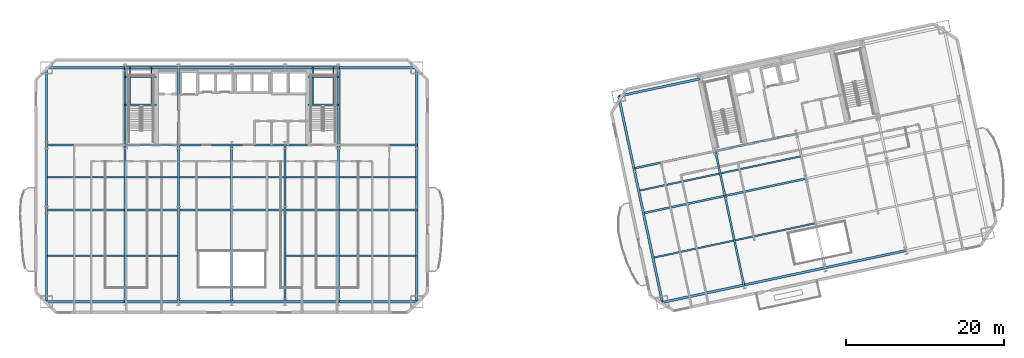
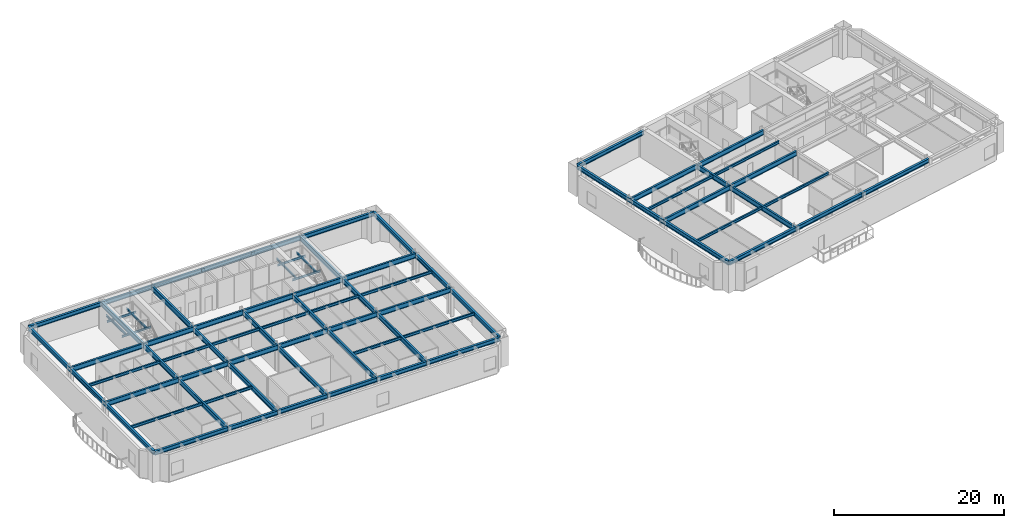
# One storey, part 3 of 15: 78 beams.
"""IFC4 building model written with IfcOpenShell, lengths in metres."""

from ifc_helpers import new_model, si_unit, direction, frame, origin, origin_2d, place, context, subcontext, project, spatial, i_section, extrude, material, material_profile, profile_set, type_object, element, save


model = new_model("IFC4")

# Units and contexts
model_context = context("Model", 3, precision=1e-05, world=origin(), true_north=direction((0.0, 1.0)))
body_context = subcontext(model_context, "Body", "Model", "MODEL_VIEW")
ifc_project = project(units=[si_unit("LENGTHUNIT", "METRE"), si_unit("AREAUNIT", "SQUARE_METRE"), si_unit("VOLUMEUNIT", "CUBIC_METRE"), si_unit("PLANEANGLEUNIT", "RADIAN"), si_unit("MASSUNIT", "GRAM", prefix="KILO")], contexts=[model_context])

# Site, building, storey
site_placement = place(None, origin())
site = spatial("IfcSite", under=ifc_project, at=site_placement, CompositionType="ELEMENT")
building_placement = place(site_placement, origin())
building = spatial("IfcBuilding", under=site, at=building_placement, Name="Haevon Station Towers", CompositionType="ELEMENT")
storey_placement = place(building_placement, frame((0.0, 0.0, 73.5)))
storey = spatial("IfcBuildingStorey", under=building, at=storey_placement, Name="L19", CompositionType="ELEMENT", Elevation=73.5)

# Beams
ifc_material = material(Name="Steel S355", Category="steel")
ifc_material_profile_1 = material_profile(ifc_material, i_section(OverallWidth=0.25, OverallDepth=0.699951171875, WebThickness=0.012939453125, FlangeThickness=0.02392578125, at=origin_2d()), Name="H-700x250x13x24")
ifc_profile_set_1 = profile_set([ifc_material_profile_1], Name="Steel S355")
beam_type_1 = type_object("IfcBeamType", Name="BM-G700", PredefinedType="BEAM", material=ifc_profile_set_1)
beam_1_placement = place(storey_placement, frame((14.050048828125, 30.0, 3.60009765625), z_axis=(1.0, 0.0, 0.0), x_axis=(0.0, 1.0, 0.0)))
element("IfcBeam", 1, at=beam_1_placement, inside=storey, type_object=beam_type_1, Name="BM-T1U-L19-02-01", PredefinedType="BEAM", context=body_context, shape_type="SweptSolid", body=[
    extrude(i_section(OverallWidth=0.25, OverallDepth=0.699951171875, WebThickness=0.012939453125, FlangeThickness=0.02392578125, at=origin_2d()), origin(), (0.0, 0.0, 1.0), 9.949951171875),
])
for number, where, z_axis, x_axis, name in (
    (2, (24.0, 30.0, 3.60009765625), (1.0, 0.0, 0.0), (0.0, 1.0, 0.0), "BM-T1U-L19-02-02"),
    (3, (30.75, 30.0, 3.60009765625), (1.0, 0.0, 0.0), (0.0, 1.0, 0.0), "BM-T1U-L19-02-03"),
    (4, (37.5, 30.0, 3.60009765625), (1.0, 0.0, 0.0), (0.0, 1.0, 0.0), "BM-T1U-L19-02-04"),
    (5, (44.25, 30.0, 3.60009765625), (1.0, 0.0, 0.0), (0.0, 1.0, 0.0), "BM-T1U-L19-02-05"),
):
    element("IfcBeam", number, at=place(storey_placement, frame(where, z_axis=z_axis, x_axis=x_axis)), inside=storey, type_object=beam_type_1, Name=name, PredefinedType="BEAM", context=body_context, shape_type="SweptSolid", body=[
        extrude(i_section(OverallWidth=0.25, OverallDepth=0.699951171875, WebThickness=0.012939453125, FlangeThickness=0.02392578125, at=origin_2d()), origin(), (0.0, 0.0, 1.0), 6.75),
    ])
for number, where, z_axis, x_axis, name in (
    (6, (51.0, 30.0, 3.60009765625), (1.0, 0.0, 0.0), (0.0, 1.0, 0.0), "BM-T1U-L19-02-06"),
    (7, (14.050048828125, 38.199951171875, 3.60009765625), (1.0, 0.0, 0.0), (0.0, 1.0, 0.0), "BM-T1U-L19-03-01"),
):
    element("IfcBeam", number, at=place(storey_placement, frame(where, z_axis=z_axis, x_axis=x_axis)), inside=storey, type_object=beam_type_1, Name=name, PredefinedType="BEAM", context=body_context, shape_type="SweptSolid", body=[
        extrude(i_section(OverallWidth=0.25, OverallDepth=0.699951171875, WebThickness=0.012939453125, FlangeThickness=0.02392578125, at=origin_2d()), origin(), (0.0, 0.0, 1.0), 9.949951171875),
    ])
for number, where, z_axis, x_axis, name in (
    (8, (24.0, 38.199951171875, 3.60009765625), (1.0, 0.0, 0.0), (0.0, 1.0, 0.0), "BM-T1U-L19-03-02"),
    (9, (30.75, 38.199951171875, 3.60009765625), (1.0, 0.0, 0.0), (0.0, 1.0, 0.0), "BM-T1U-L19-03-03"),
    (10, (37.5, 38.199951171875, 3.60009765625), (1.0, 0.0, 0.0), (0.0, 1.0, 0.0), "BM-T1U-L19-03-04"),
    (11, (44.25, 38.199951171875, 3.60009765625), (1.0, 0.0, 0.0), (0.0, 1.0, 0.0), "BM-T1U-L19-03-05"),
):
    element("IfcBeam", number, at=place(storey_placement, frame(where, z_axis=z_axis, x_axis=x_axis)), inside=storey, type_object=beam_type_1, Name=name, PredefinedType="BEAM", context=body_context, shape_type="SweptSolid", body=[
        extrude(i_section(OverallWidth=0.25, OverallDepth=0.699951171875, WebThickness=0.012939453125, FlangeThickness=0.02392578125, at=origin_2d()), origin(), (0.0, 0.0, 1.0), 6.75),
    ])
beam_2_placement = place(storey_placement, frame((51.0, 38.199951171875, 3.60009765625), z_axis=(1.0, 0.0, 0.0), x_axis=(0.0, 1.0, 0.0)))
element("IfcBeam", 12, at=beam_2_placement, inside=storey, type_object=beam_type_1, Name="BM-T1U-L19-03-06", PredefinedType="BEAM", context=body_context, shape_type="SweptSolid", body=[
    extrude(i_section(OverallWidth=0.25, OverallDepth=0.699951171875, WebThickness=0.012939453125, FlangeThickness=0.02392578125, at=origin_2d()), origin(), (0.0, 0.0, 1.0), 9.949951171875),
])
beam_3_placement = place(storey_placement, frame((24.0, 18.35009765625, 3.60009765625), z_axis=(0.0, 1.0, 0.0), x_axis=(-1.0, 0.0, 0.0)))
element("IfcBeam", 13, at=beam_3_placement, inside=storey, type_object=beam_type_1, Name="BM-T1V-L19-02-01", PredefinedType="BEAM", context=body_context, shape_type="SweptSolid", body=[
    extrude(i_section(OverallWidth=0.25, OverallDepth=0.699951171875, WebThickness=0.012939453125, FlangeThickness=0.02392578125, at=origin_2d()), origin(), (0.0, 0.0, 1.0), 11.64990234375),
])
beam_4_placement = place(storey_placement, frame((24.0, 30.0, 3.60009765625), z_axis=(0.0, 1.0, 0.0), x_axis=(-1.0, 0.0, 0.0)))
element("IfcBeam", 14, at=beam_4_placement, inside=storey, type_object=beam_type_1, Name="BM-T1V-L19-02-02", PredefinedType="BEAM", context=body_context, shape_type="SweptSolid", body=[
    extrude(i_section(OverallWidth=0.25, OverallDepth=0.699951171875, WebThickness=0.012939453125, FlangeThickness=0.02392578125, at=origin_2d()), origin(), (0.0, 0.0, 1.0), 8.199951171875),
])
beam_5_placement = place(storey_placement, frame((24.0, 38.199951171875, 3.60009765625), z_axis=(0.0, 1.0, 0.0), x_axis=(-1.0, 0.0, 0.0)))
element("IfcBeam", 15, at=beam_5_placement, inside=storey, type_object=beam_type_1, Name="BM-T1V-L19-02-03", PredefinedType="BEAM", context=body_context, shape_type="SweptSolid", body=[
    extrude(i_section(OverallWidth=0.25, OverallDepth=0.699951171875, WebThickness=0.012939453125, FlangeThickness=0.02392578125, at=origin_2d()), origin(), (0.0, 0.0, 1.0), 9.800048828125),
])
beam_6_placement = place(storey_placement, frame((30.75, 18.35009765625, 3.60009765625), z_axis=(0.0, 1.0, 0.0), x_axis=(-1.0, 0.0, 0.0)))
element("IfcBeam", 16, at=beam_6_placement, inside=storey, type_object=beam_type_1, Name="BM-T1V-L19-03-01", PredefinedType="BEAM", context=body_context, shape_type="SweptSolid", body=[
    extrude(i_section(OverallWidth=0.25, OverallDepth=0.699951171875, WebThickness=0.012939453125, FlangeThickness=0.02392578125, at=origin_2d()), origin(), (0.0, 0.0, 1.0), 11.64990234375),
])
beam_7_placement = place(storey_placement, frame((30.75, 30.0, 3.60009765625), z_axis=(0.0, 1.0, 0.0), x_axis=(-1.0, 0.0, 0.0)))
element("IfcBeam", 17, at=beam_7_placement, inside=storey, type_object=beam_type_1, Name="BM-T1V-L19-03-02", PredefinedType="BEAM", context=body_context, shape_type="SweptSolid", body=[
    extrude(i_section(OverallWidth=0.25, OverallDepth=0.699951171875, WebThickness=0.012939453125, FlangeThickness=0.02392578125, at=origin_2d()), origin(), (0.0, 0.0, 1.0), 8.199951171875),
])
beam_8_placement = place(storey_placement, frame((30.75, 38.199951171875, 3.60009765625), z_axis=(0.0, 1.0, 0.0), x_axis=(-1.0, 0.0, 0.0)))
element("IfcBeam", 18, at=beam_8_placement, inside=storey, type_object=beam_type_1, Name="BM-T1V-L19-03-03", PredefinedType="BEAM", context=body_context, shape_type="SweptSolid", body=[
    extrude(i_section(OverallWidth=0.25, OverallDepth=0.699951171875, WebThickness=0.012939453125, FlangeThickness=0.02392578125, at=origin_2d()), origin(), (0.0, 0.0, 1.0), 9.800048828125),
])
beam_9_placement = place(storey_placement, frame((37.5, 18.35009765625, 3.60009765625), z_axis=(0.0, 1.0, 0.0), x_axis=(-1.0, 0.0, 0.0)))
element("IfcBeam", 19, at=beam_9_placement, inside=storey, type_object=beam_type_1, Name="BM-T1V-L19-04-01", PredefinedType="BEAM", context=body_context, shape_type="SweptSolid", body=[
    extrude(i_section(OverallWidth=0.25, OverallDepth=0.699951171875, WebThickness=0.012939453125, FlangeThickness=0.02392578125, at=origin_2d()), origin(), (0.0, 0.0, 1.0), 11.64990234375),
])
beam_10_placement = place(storey_placement, frame((37.5, 30.0, 3.60009765625), z_axis=(0.0, 1.0, 0.0), x_axis=(-1.0, 0.0, 0.0)))
element("IfcBeam", 20, at=beam_10_placement, inside=storey, type_object=beam_type_1, Name="BM-T1V-L19-04-02", PredefinedType="BEAM", context=body_context, shape_type="SweptSolid", body=[
    extrude(i_section(OverallWidth=0.25, OverallDepth=0.699951171875, WebThickness=0.012939453125, FlangeThickness=0.02392578125, at=origin_2d()), origin(), (0.0, 0.0, 1.0), 8.199951171875),
])
beam_11_placement = place(storey_placement, frame((44.25, 18.35009765625, 3.60009765625), z_axis=(0.0, 1.0, 0.0), x_axis=(-1.0, 0.0, 0.0)))
element("IfcBeam", 21, at=beam_11_placement, inside=storey, type_object=beam_type_1, Name="BM-T1V-L19-05-01", PredefinedType="BEAM", context=body_context, shape_type="SweptSolid", body=[
    extrude(i_section(OverallWidth=0.25, OverallDepth=0.699951171875, WebThickness=0.012939453125, FlangeThickness=0.02392578125, at=origin_2d()), origin(), (0.0, 0.0, 1.0), 11.64990234375),
])
beam_12_placement = place(storey_placement, frame((44.25, 30.0, 3.60009765625), z_axis=(0.0, 1.0, 0.0), x_axis=(-1.0, 0.0, 0.0)))
element("IfcBeam", 22, at=beam_12_placement, inside=storey, type_object=beam_type_1, Name="BM-T1V-L19-05-02", PredefinedType="BEAM", context=body_context, shape_type="SweptSolid", body=[
    extrude(i_section(OverallWidth=0.25, OverallDepth=0.699951171875, WebThickness=0.012939453125, FlangeThickness=0.02392578125, at=origin_2d()), origin(), (0.0, 0.0, 1.0), 8.199951171875),
])
beam_13_placement = place(storey_placement, frame((51.0, 18.35009765625, 3.60009765625), z_axis=(0.0, 1.0, 0.0), x_axis=(-1.0, 0.0, 0.0)))
element("IfcBeam", 23, at=beam_13_placement, inside=storey, type_object=beam_type_1, Name="BM-T1V-L19-06-01", PredefinedType="BEAM", context=body_context, shape_type="SweptSolid", body=[
    extrude(i_section(OverallWidth=0.25, OverallDepth=0.699951171875, WebThickness=0.012939453125, FlangeThickness=0.02392578125, at=origin_2d()), origin(), (0.0, 0.0, 1.0), 11.64990234375),
])
beam_14_placement = place(storey_placement, frame((51.0, 30.0, 3.60009765625), z_axis=(0.0, 1.0, 0.0), x_axis=(-1.0, 0.0, 0.0)))
element("IfcBeam", 24, at=beam_14_placement, inside=storey, type_object=beam_type_1, Name="BM-T1V-L19-06-02", PredefinedType="BEAM", context=body_context, shape_type="SweptSolid", body=[
    extrude(i_section(OverallWidth=0.25, OverallDepth=0.699951171875, WebThickness=0.012939453125, FlangeThickness=0.02392578125, at=origin_2d()), origin(), (0.0, 0.0, 1.0), 8.199951171875),
])
beam_15_placement = place(storey_placement, frame((51.0, 38.199951171875, 3.60009765625), z_axis=(0.0, 1.0, 0.0), x_axis=(-1.0, 0.0, 0.0)))
element("IfcBeam", 25, at=beam_15_placement, inside=storey, type_object=beam_type_1, Name="BM-T1V-L19-06-03", PredefinedType="BEAM", context=body_context, shape_type="SweptSolid", body=[
    extrude(i_section(OverallWidth=0.25, OverallDepth=0.699951171875, WebThickness=0.012939453125, FlangeThickness=0.02392578125, at=origin_2d()), origin(), (0.0, 0.0, 1.0), 9.800048828125),
])
beam_16_placement = place(storey_placement, frame((89.638671875, 29.57568359375, 3.60009765625), z_axis=(0.978150204601, 0.207899440208, 0.0), x_axis=(-0.207899440208, 0.978150204601, 0.0)))
element("IfcBeam", 26, at=beam_16_placement, inside=storey, type_object=beam_type_1, Name="BM-T2U-L19-02-01", PredefinedType="BEAM", context=body_context, shape_type="SweptSolid", body=[
    extrude(i_section(OverallWidth=0.25, OverallDepth=0.699951171875, WebThickness=0.012939453125, FlangeThickness=0.02392578125, at=origin_2d()), origin(), (0.0, 0.0, 1.0), 10.550048828125),
])
beam_17_placement = place(storey_placement, frame((99.958251953125, 31.76904296875, 3.60009765625), z_axis=(0.978146794194, 0.207915485254, 0.0), x_axis=(-0.207915485254, 0.978146794194, 0.0)))
element("IfcBeam", 27, at=beam_17_placement, inside=storey, type_object=beam_type_1, Name="BM-T2U-L19-02-02", PredefinedType="BEAM", context=body_context, shape_type="SweptSolid", body=[
    extrude(i_section(OverallWidth=0.25, OverallDepth=0.699951171875, WebThickness=0.012939453125, FlangeThickness=0.02392578125, at=origin_2d()), origin(), (0.0, 0.0, 1.0), 10.5),
])
beam_18_placement = place(storey_placement, frame((88.432861328125, 35.2490234375, 3.60009765625), z_axis=(0.978150204601, 0.207899440208, 0.0), x_axis=(-0.207899440208, 0.978150204601, 0.0)))
element("IfcBeam", 28, at=beam_18_placement, inside=storey, type_object=beam_type_1, Name="BM-T2U-L19-03-01", PredefinedType="BEAM", context=body_context, shape_type="SweptSolid", body=[
    extrude(i_section(OverallWidth=0.25, OverallDepth=0.699951171875, WebThickness=0.012939453125, FlangeThickness=0.02392578125, at=origin_2d()), origin(), (0.0, 0.0, 1.0), 10.550048828125),
])
beam_19_placement = place(storey_placement, frame((98.75244140625, 37.4423828125, 3.60009765625), z_axis=(0.978146794194, 0.207915485254, 0.0), x_axis=(-0.207915485254, 0.978146794194, 0.0)))
element("IfcBeam", 29, at=beam_19_placement, inside=storey, type_object=beam_type_1, Name="BM-T2U-L19-03-02", PredefinedType="BEAM", context=body_context, shape_type="SweptSolid", body=[
    extrude(i_section(OverallWidth=0.25, OverallDepth=0.699951171875, WebThickness=0.012939453125, FlangeThickness=0.02392578125, at=origin_2d()), origin(), (0.0, 0.0, 1.0), 10.5),
])
beam_20_placement = place(storey_placement, frame((102.359619140625, 20.471435546875, 3.60009765625), z_axis=(-0.207910580697, 0.978147836697, 0.0), x_axis=(-0.978147836697, -0.207910580697, 0.0)))
element("IfcBeam", 30, at=beam_20_placement, inside=storey, type_object=beam_type_1, Name="BM-T2V-L19-02-01", PredefinedType="BEAM", context=body_context, shape_type="SweptSolid", body=[
    extrude(i_section(OverallWidth=0.25, OverallDepth=0.699951171875, WebThickness=0.012939453125, FlangeThickness=0.02392578125, at=origin_2d()), origin(), (0.0, 0.0, 1.0), 11.550048828125),
])
beam_21_placement = place(storey_placement, frame((99.958251953125, 31.76904296875, 3.60009765625), z_axis=(-0.207896009217, 0.97815093383, 0.0), x_axis=(-0.97815093383, -0.207896009217, 0.0)))
element("IfcBeam", 31, at=beam_21_placement, inside=storey, type_object=beam_type_1, Name="BM-T2V-L19-02-02", PredefinedType="BEAM", context=body_context, shape_type="SweptSolid", body=[
    extrude(i_section(OverallWidth=0.25, OverallDepth=0.699951171875, WebThickness=0.012939453125, FlangeThickness=0.02392578125, at=origin_2d()), origin(), (0.0, 0.0, 1.0), 5.800048828125),
])
ifc_material_profile_2 = material_profile(ifc_material, i_section(OverallWidth=0.199951171875, OverallDepth=0.39990234375, WebThickness=0.008056640625, FlangeThickness=0.012939453125, at=origin_2d()), Name="H-400x200x8x13")
ifc_profile_set_2 = profile_set([ifc_material_profile_2], Name="Steel S355")
beam_type_2 = type_object("IfcBeamType", Name="BM-J400", PredefinedType="JOIST", material=ifc_profile_set_2)
beam_22_placement = place(storey_placement, frame((14.159912109375, 24.175048828125, 3.75), z_axis=(1.0, 0.0, 0.0), x_axis=(0.0, 1.0, 0.0)))
element("IfcBeam", 32, at=beam_22_placement, inside=storey, type_object=beam_type_2, Name="BM-T1J-L19-01-01", PredefinedType="JOIST", context=body_context, shape_type="SweptSolid", body=[
    extrude(i_section(OverallWidth=0.199951171875, OverallDepth=0.39990234375, WebThickness=0.008056640625, FlangeThickness=0.012939453125, at=origin_2d()), origin(), (0.0, 0.0, 1.0), 9.72998046875),
])
for number, where, z_axis, x_axis, name in (
    (33, (24.110107421875, 24.175048828125, 3.75), (1.0, 0.0, 0.0), (0.0, 1.0, 0.0), "BM-T1J-L19-01-02"),
    (34, (44.360107421875, 24.175048828125, 3.75), (1.0, 0.0, 0.0), (0.0, 1.0, 0.0), "BM-T1J-L19-01-05"),
):
    element("IfcBeam", number, at=place(storey_placement, frame(where, z_axis=z_axis, x_axis=x_axis)), inside=storey, type_object=beam_type_2, Name=name, PredefinedType="JOIST", context=body_context, shape_type="SweptSolid", body=[
        extrude(i_section(OverallWidth=0.199951171875, OverallDepth=0.39990234375, WebThickness=0.008056640625, FlangeThickness=0.012939453125, at=origin_2d()), origin(), (0.0, 0.0, 1.0), 6.52978515625),
    ])
for number, where, z_axis, x_axis, name in (
    (35, (51.110107421875, 24.175048828125, 3.75), (1.0, 0.0, 0.0), (0.0, 1.0, 0.0), "BM-T1J-L19-01-06"),
    (36, (14.159912109375, 34.10009765625, 3.75), (1.0, 0.0, 0.0), (0.0, 1.0, 0.0), "BM-T1J-L19-02-01"),
):
    element("IfcBeam", number, at=place(storey_placement, frame(where, z_axis=z_axis, x_axis=x_axis)), inside=storey, type_object=beam_type_2, Name=name, PredefinedType="JOIST", context=body_context, shape_type="SweptSolid", body=[
        extrude(i_section(OverallWidth=0.199951171875, OverallDepth=0.39990234375, WebThickness=0.008056640625, FlangeThickness=0.012939453125, at=origin_2d()), origin(), (0.0, 0.0, 1.0), 9.72998046875),
    ])
for number, where, z_axis, x_axis, name in (
    (37, (24.110107421875, 34.10009765625, 3.75), (1.0, 0.0, 0.0), (0.0, 1.0, 0.0), "BM-T1J-L19-02-02"),
    (38, (30.860107421875, 34.10009765625, 3.75), (1.0, 0.0, 0.0), (0.0, 1.0, 0.0), "BM-T1J-L19-02-03"),
    (39, (37.610107421875, 34.10009765625, 3.75), (1.0, 0.0, 0.0), (0.0, 1.0, 0.0), "BM-T1J-L19-02-04"),
    (40, (44.360107421875, 34.10009765625, 3.75), (1.0, 0.0, 0.0), (0.0, 1.0, 0.0), "BM-T1J-L19-02-05"),
):
    element("IfcBeam", number, at=place(storey_placement, frame(where, z_axis=z_axis, x_axis=x_axis)), inside=storey, type_object=beam_type_2, Name=name, PredefinedType="JOIST", context=body_context, shape_type="SweptSolid", body=[
        extrude(i_section(OverallWidth=0.199951171875, OverallDepth=0.39990234375, WebThickness=0.008056640625, FlangeThickness=0.012939453125, at=origin_2d()), origin(), (0.0, 0.0, 1.0), 6.52978515625),
    ])
beam_23_placement = place(storey_placement, frame((51.110107421875, 34.10009765625, 3.75), z_axis=(1.0, 0.0, 0.0), x_axis=(0.0, 1.0, 0.0)))
element("IfcBeam", 41, at=beam_23_placement, inside=storey, type_object=beam_type_2, Name="BM-T1J-L19-02-06", PredefinedType="JOIST", context=body_context, shape_type="SweptSolid", body=[
    extrude(i_section(OverallWidth=0.199951171875, OverallDepth=0.39990234375, WebThickness=0.008056640625, FlangeThickness=0.012939453125, at=origin_2d()), origin(), (0.0, 0.0, 1.0), 9.72998046875),
])
beam_24_placement = place(storey_placement, frame((90.947021484375, 23.94970703125, 3.75), z_axis=(0.978147977643, 0.207909917591, 0.0), x_axis=(-0.207909917591, 0.978147977643, 0.0)))
element("IfcBeam", 42, at=beam_24_placement, inside=storey, type_object=beam_type_2, Name="BM-T2J-L19-01-01", PredefinedType="JOIST", context=body_context, shape_type="SweptSolid", body=[
    extrude(i_section(OverallWidth=0.199951171875, OverallDepth=0.39990234375, WebThickness=0.008056640625, FlangeThickness=0.012939453125, at=origin_2d()), origin(), (0.0, 0.0, 1.0), 10.330078125),
])
beam_25_placement = place(storey_placement, frame((101.2666015625, 26.143310546875, 3.75), z_axis=(0.978149313139, 0.20790363442, 0.0), x_axis=(-0.20790363442, 0.978149313139, 0.0)))
element("IfcBeam", 43, at=beam_25_placement, inside=storey, type_object=beam_type_2, Name="BM-T2J-L19-01-02", PredefinedType="JOIST", context=body_context, shape_type="SweptSolid", body=[
    extrude(i_section(OverallWidth=0.199951171875, OverallDepth=0.39990234375, WebThickness=0.008056640625, FlangeThickness=0.012939453125, at=origin_2d()), origin(), (0.0, 0.0, 1.0), 10.27978515625),
])
beam_26_placement = place(storey_placement, frame((89.1435546875, 32.435302734375, 3.75), z_axis=(0.978147977643, 0.207909917591, 0.0), x_axis=(-0.207909917591, 0.978147977643, 0.0)))
element("IfcBeam", 44, at=beam_26_placement, inside=storey, type_object=beam_type_2, Name="BM-T2J-L19-02-01", PredefinedType="JOIST", context=body_context, shape_type="SweptSolid", body=[
    extrude(i_section(OverallWidth=0.199951171875, OverallDepth=0.39990234375, WebThickness=0.008056640625, FlangeThickness=0.012939453125, at=origin_2d()), origin(), (0.0, 0.0, 1.0), 10.330078125),
])
beam_27_placement = place(storey_placement, frame((99.462890625, 34.628662109375, 3.75), z_axis=(0.978150339653, 0.207898804801, 0.0), x_axis=(-0.207898804801, 0.978150339653, 0.0)))
element("IfcBeam", 45, at=beam_27_placement, inside=storey, type_object=beam_type_2, Name="BM-T2J-L19-02-02", PredefinedType="JOIST", context=body_context, shape_type="SweptSolid", body=[
    extrude(i_section(OverallWidth=0.199951171875, OverallDepth=0.39990234375, WebThickness=0.008056640625, FlangeThickness=0.012939453125, at=origin_2d()), origin(), (0.0, 0.0, 1.0), 10.280029296875),
])
ifc_material_profile_3 = material_profile(ifc_material, i_section(OverallWidth=0.14990234375, OverallDepth=0.300048828125, WebThickness=0.006591796875, FlangeThickness=0.009033203125, at=origin_2d()), Name="H-300x150x6.5x9")
ifc_profile_set_3 = profile_set([ifc_material_profile_3], Name="Steel S355")
beam_type_3 = type_object("IfcBeamType", Name="BM-LIN300", PredefinedType="LINTEL", material=ifc_profile_set_3)
for number, where, z_axis, x_axis, name in (
    (46, (24.0, 43.303955078125, 1.75), (1.0, 0.0, 0.0), (0.0, 1.0, 0.0), "BM-ST1L-L19-1-S"),
    (47, (24.0, 46.820068359375, 1.75), (1.0, 0.0, 0.0), (0.0, 1.0, 0.0), "BM-ST1L-L19-1-N"),
):
    element("IfcBeam", number, at=place(storey_placement, frame(where, z_axis=z_axis, x_axis=x_axis)), inside=storey, type_object=beam_type_3, Name=name, PredefinedType="LINTEL", context=body_context, shape_type="SweptSolid", body=[
        extrude(i_section(OverallWidth=0.14990234375, OverallDepth=0.300048828125, WebThickness=0.006591796875, FlangeThickness=0.009033203125, at=origin_2d()), origin(), (0.0, 0.0, 1.0), 3.949951171875),
    ])
for number, where, z_axis, x_axis, name in (
    (48, (24.60009765625, 43.303955078125, 1.75), (0.0, 1.0, 0.0), (-1.0, 0.0, 0.0), "BM-ST1L-L19-1-W"),
    (49, (27.35009765625, 43.303955078125, 1.75), (0.0, 1.0, 0.0), (-1.0, 0.0, 0.0), "BM-ST1L-L19-1-E"),
):
    element("IfcBeam", number, at=place(storey_placement, frame(where, z_axis=z_axis, x_axis=x_axis)), inside=storey, type_object=beam_type_3, Name=name, PredefinedType="LINTEL", context=body_context, shape_type="SweptSolid", body=[
        extrude(i_section(OverallWidth=0.14990234375, OverallDepth=0.300048828125, WebThickness=0.006591796875, FlangeThickness=0.009033203125, at=origin_2d()), origin(), (0.0, 0.0, 1.0), 4.696044921875),
    ])
for number, where, z_axis, x_axis, name in (
    (50, (47.14990234375, 43.303955078125, 1.75), (1.0, 0.0, 0.0), (0.0, 1.0, 0.0), "BM-ST2L-L19-1-S"),
    (51, (47.14990234375, 46.820068359375, 1.75), (1.0, 0.0, 0.0), (0.0, 1.0, 0.0), "BM-ST2L-L19-1-N"),
):
    element("IfcBeam", number, at=place(storey_placement, frame(where, z_axis=z_axis, x_axis=x_axis)), inside=storey, type_object=beam_type_3, Name=name, PredefinedType="LINTEL", context=body_context, shape_type="SweptSolid", body=[
        extrude(i_section(OverallWidth=0.14990234375, OverallDepth=0.300048828125, WebThickness=0.006591796875, FlangeThickness=0.009033203125, at=origin_2d()), origin(), (0.0, 0.0, 1.0), 3.85009765625),
    ])
for number, where, z_axis, x_axis, name in (
    (52, (47.75, 43.303955078125, 1.75), (0.0, 1.0, 0.0), (-1.0, 0.0, 0.0), "BM-ST2L-L19-1-W"),
    (53, (50.39990234375, 43.303955078125, 1.75), (0.0, 1.0, 0.0), (-1.0, 0.0, 0.0), "BM-ST2L-L19-1-E"),
):
    element("IfcBeam", number, at=place(storey_placement, frame(where, z_axis=z_axis, x_axis=x_axis)), inside=storey, type_object=beam_type_3, Name=name, PredefinedType="LINTEL", context=body_context, shape_type="SweptSolid", body=[
        extrude(i_section(OverallWidth=0.14990234375, OverallDepth=0.300048828125, WebThickness=0.006591796875, FlangeThickness=0.009033203125, at=origin_2d()), origin(), (0.0, 0.0, 1.0), 4.696044921875),
    ])
ifc_material_profile_4 = material_profile(ifc_material, i_section(OverallWidth=0.300048828125, OverallDepth=0.587890625, WebThickness=0.011962890625, FlangeThickness=0.02001953125, at=origin_2d()), Name="H-588x300x12x20")
ifc_profile_set_4 = profile_set([ifc_material_profile_4], Name="Steel S355")
beam_type_4 = type_object("IfcBeamType", Name="BM-SP588", PredefinedType="SPANDREL", material=ifc_profile_set_4)
beam_28_placement = place(storey_placement, frame((14.050048828125, 18.35009765625, 3.656005859375), z_axis=(1.0, 0.0, 0.0), x_axis=(0.0, 1.0, 0.0)))
element("IfcBeam", 54, at=beam_28_placement, inside=storey, type_object=beam_type_4, Name="BM-T1U-L19-01-01", PredefinedType="SPANDREL", context=body_context, shape_type="SweptSolid", body=[
    extrude(i_section(OverallWidth=0.300048828125, OverallDepth=0.587890625, WebThickness=0.011962890625, FlangeThickness=0.02001953125, at=origin_2d()), origin(), (0.0, 0.0, 1.0), 9.949951171875),
])
for number, where, z_axis, x_axis, name in (
    (55, (24.0, 18.35009765625, 3.656005859375), (1.0, 0.0, 0.0), (0.0, 1.0, 0.0), "BM-T1U-L19-01-02"),
    (56, (30.75, 18.35009765625, 3.656005859375), (1.0, 0.0, 0.0), (0.0, 1.0, 0.0), "BM-T1U-L19-01-03"),
    (57, (37.5, 18.35009765625, 3.656005859375), (1.0, 0.0, 0.0), (0.0, 1.0, 0.0), "BM-T1U-L19-01-04"),
    (58, (44.25, 18.35009765625, 3.656005859375), (1.0, 0.0, 0.0), (0.0, 1.0, 0.0), "BM-T1U-L19-01-05"),
):
    element("IfcBeam", number, at=place(storey_placement, frame(where, z_axis=z_axis, x_axis=x_axis)), inside=storey, type_object=beam_type_4, Name=name, PredefinedType="SPANDREL", context=body_context, shape_type="SweptSolid", body=[
        extrude(i_section(OverallWidth=0.300048828125, OverallDepth=0.587890625, WebThickness=0.011962890625, FlangeThickness=0.02001953125, at=origin_2d()), origin(), (0.0, 0.0, 1.0), 6.75),
    ])
for number, where, z_axis, x_axis, name in (
    (59, (51.0, 18.35009765625, 3.656005859375), (1.0, 0.0, 0.0), (0.0, 1.0, 0.0), "BM-T1U-L19-01-06"),
    (60, (14.050048828125, 48.0, 3.656005859375), (1.0, 0.0, 0.0), (0.0, 1.0, 0.0), "BM-T1U-L19-04-01"),
):
    element("IfcBeam", number, at=place(storey_placement, frame(where, z_axis=z_axis, x_axis=x_axis)), inside=storey, type_object=beam_type_4, Name=name, PredefinedType="SPANDREL", context=body_context, shape_type="SweptSolid", body=[
        extrude(i_section(OverallWidth=0.300048828125, OverallDepth=0.587890625, WebThickness=0.011962890625, FlangeThickness=0.02001953125, at=origin_2d()), origin(), (0.0, 0.0, 1.0), 9.949951171875),
    ])
for number, where, z_axis, x_axis, name in (
    (61, (24.0, 48.0, 3.656005859375), (1.0, 0.0, 0.0), (0.0, 1.0, 0.0), "BM-T1U-L19-04-02"),
    (62, (30.75, 48.0, 3.656005859375), (1.0, 0.0, 0.0), (0.0, 1.0, 0.0), "BM-T1U-L19-04-03"),
    (63, (37.5, 48.0, 3.656005859375), (1.0, 0.0, 0.0), (0.0, 1.0, 0.0), "BM-T1U-L19-04-04"),
    (64, (44.25, 48.0, 3.656005859375), (1.0, 0.0, 0.0), (0.0, 1.0, 0.0), "BM-T1U-L19-04-05"),
):
    element("IfcBeam", number, at=place(storey_placement, frame(where, z_axis=z_axis, x_axis=x_axis)), inside=storey, type_object=beam_type_4, Name=name, PredefinedType="SPANDREL", context=body_context, shape_type="SweptSolid", body=[
        extrude(i_section(OverallWidth=0.300048828125, OverallDepth=0.587890625, WebThickness=0.011962890625, FlangeThickness=0.02001953125, at=origin_2d()), origin(), (0.0, 0.0, 1.0), 6.75),
    ])
beam_29_placement = place(storey_placement, frame((51.0, 48.0, 3.656005859375), z_axis=(1.0, 0.0, 0.0), x_axis=(0.0, 1.0, 0.0)))
element("IfcBeam", 65, at=beam_29_placement, inside=storey, type_object=beam_type_4, Name="BM-T1U-L19-04-06", PredefinedType="SPANDREL", context=body_context, shape_type="SweptSolid", body=[
    extrude(i_section(OverallWidth=0.300048828125, OverallDepth=0.587890625, WebThickness=0.011962890625, FlangeThickness=0.02001953125, at=origin_2d()), origin(), (0.0, 0.0, 1.0), 9.949951171875),
])
beam_30_placement = place(storey_placement, frame((14.050048828125, 18.35009765625, 3.656005859375), z_axis=(0.0, 1.0, 0.0), x_axis=(-1.0, 0.0, 0.0)))
element("IfcBeam", 66, at=beam_30_placement, inside=storey, type_object=beam_type_4, Name="BM-T1V-L19-01-01", PredefinedType="SPANDREL", context=body_context, shape_type="SweptSolid", body=[
    extrude(i_section(OverallWidth=0.300048828125, OverallDepth=0.587890625, WebThickness=0.011962890625, FlangeThickness=0.02001953125, at=origin_2d()), origin(), (0.0, 0.0, 1.0), 11.64990234375),
])
beam_31_placement = place(storey_placement, frame((14.050048828125, 30.0, 3.656005859375), z_axis=(0.0, 1.0, 0.0), x_axis=(-1.0, 0.0, 0.0)))
element("IfcBeam", 67, at=beam_31_placement, inside=storey, type_object=beam_type_4, Name="BM-T1V-L19-01-02", PredefinedType="SPANDREL", context=body_context, shape_type="SweptSolid", body=[
    extrude(i_section(OverallWidth=0.300048828125, OverallDepth=0.587890625, WebThickness=0.011962890625, FlangeThickness=0.02001953125, at=origin_2d()), origin(), (0.0, 0.0, 1.0), 8.199951171875),
])
beam_32_placement = place(storey_placement, frame((14.050048828125, 38.199951171875, 3.656005859375), z_axis=(0.0, 1.0, 0.0), x_axis=(-1.0, 0.0, 0.0)))
element("IfcBeam", 68, at=beam_32_placement, inside=storey, type_object=beam_type_4, Name="BM-T1V-L19-01-03", PredefinedType="SPANDREL", context=body_context, shape_type="SweptSolid", body=[
    extrude(i_section(OverallWidth=0.300048828125, OverallDepth=0.587890625, WebThickness=0.011962890625, FlangeThickness=0.02001953125, at=origin_2d()), origin(), (0.0, 0.0, 1.0), 9.800048828125),
])
beam_33_placement = place(storey_placement, frame((60.949951171875, 18.35009765625, 3.656005859375), z_axis=(0.0, 1.0, 0.0), x_axis=(-1.0, 0.0, 0.0)))
element("IfcBeam", 69, at=beam_33_placement, inside=storey, type_object=beam_type_4, Name="BM-T1V-L19-07-01", PredefinedType="SPANDREL", context=body_context, shape_type="SweptSolid", body=[
    extrude(i_section(OverallWidth=0.300048828125, OverallDepth=0.587890625, WebThickness=0.011962890625, FlangeThickness=0.02001953125, at=origin_2d()), origin(), (0.0, 0.0, 1.0), 11.64990234375),
])
beam_34_placement = place(storey_placement, frame((60.949951171875, 30.0, 3.656005859375), z_axis=(0.0, 1.0, 0.0), x_axis=(-1.0, 0.0, 0.0)))
element("IfcBeam", 70, at=beam_34_placement, inside=storey, type_object=beam_type_4, Name="BM-T1V-L19-07-02", PredefinedType="SPANDREL", context=body_context, shape_type="SweptSolid", body=[
    extrude(i_section(OverallWidth=0.300048828125, OverallDepth=0.587890625, WebThickness=0.011962890625, FlangeThickness=0.02001953125, at=origin_2d()), origin(), (0.0, 0.0, 1.0), 8.199951171875),
])
beam_35_placement = place(storey_placement, frame((60.949951171875, 38.199951171875, 3.656005859375), z_axis=(0.0, 1.0, 0.0), x_axis=(-1.0, 0.0, 0.0)))
element("IfcBeam", 71, at=beam_35_placement, inside=storey, type_object=beam_type_4, Name="BM-T1V-L19-07-03", PredefinedType="SPANDREL", context=body_context, shape_type="SweptSolid", body=[
    extrude(i_section(OverallWidth=0.300048828125, OverallDepth=0.587890625, WebThickness=0.011962890625, FlangeThickness=0.02001953125, at=origin_2d()), origin(), (0.0, 0.0, 1.0), 9.800048828125),
])
beam_36_placement = place(storey_placement, frame((92.040283203125, 18.278076171875, 3.656005859375), z_axis=(0.978149204359, 0.207904146209, 0.0), x_axis=(-0.207904146209, 0.978149204359, 0.0)))
element("IfcBeam", 72, at=beam_36_placement, inside=storey, type_object=beam_type_4, Name="BM-T2U-L19-01-01", PredefinedType="SPANDREL", context=body_context, shape_type="SweptSolid", body=[
    extrude(i_section(OverallWidth=0.300048828125, OverallDepth=0.587890625, WebThickness=0.011962890625, FlangeThickness=0.02001953125, at=origin_2d()), origin(), (0.0, 0.0, 1.0), 10.5498046875),
])
for number, where, z_axis, x_axis, name in (
    (73, (102.359619140625, 20.471435546875, 3.656005859375), (0.978146794194, 0.207915485254, 0.0), (-0.207915485254, 0.978146794194, 0.0), "BM-T2U-L19-01-02"),
    (74, (112.630126953125, 22.654541015625, 3.656005859375), (0.978146794194, 0.207915485254, 0.0), (-0.207915485254, 0.978146794194, 0.0), "BM-T2U-L19-01-03"),
):
    element("IfcBeam", number, at=place(storey_placement, frame(where, z_axis=z_axis, x_axis=x_axis)), inside=storey, type_object=beam_type_4, Name=name, PredefinedType="SPANDREL", context=body_context, shape_type="SweptSolid", body=[
        extrude(i_section(OverallWidth=0.300048828125, OverallDepth=0.587890625, WebThickness=0.011962890625, FlangeThickness=0.02001953125, at=origin_2d()), origin(), (0.0, 0.0, 1.0), 10.5),
    ])
beam_37_placement = place(storey_placement, frame((86.489013671875, 44.39453125, 3.656005859375), z_axis=(0.978144498026, 0.207926287375, 0.0), x_axis=(-0.207926287375, 0.978144498026, 0.0)))
element("IfcBeam", 75, at=beam_37_placement, inside=storey, type_object=beam_type_4, Name="BM-T2U-L19-04-01", PredefinedType="SPANDREL", context=body_context, shape_type="SweptSolid", body=[
    extrude(i_section(OverallWidth=0.300048828125, OverallDepth=0.587890625, WebThickness=0.011962890625, FlangeThickness=0.02001953125, at=origin_2d()), origin(), (0.0, 0.0, 1.0), 10.5498046875),
])
beam_38_placement = place(storey_placement, frame((92.040283203125, 18.278076171875, 3.656005859375), z_axis=(-0.207930804564, 0.978143537786, 0.0), x_axis=(-0.978143537786, -0.207930804564, 0.0)))
element("IfcBeam", 76, at=beam_38_placement, inside=storey, type_object=beam_type_4, Name="BM-T2V-L19-01-01", PredefinedType="SPANDREL", context=body_context, shape_type="SweptSolid", body=[
    extrude(i_section(OverallWidth=0.300048828125, OverallDepth=0.587890625, WebThickness=0.011962890625, FlangeThickness=0.02001953125, at=origin_2d()), origin(), (0.0, 0.0, 1.0), 11.550048828125),
])
beam_39_placement = place(storey_placement, frame((89.638671875, 29.57568359375, 3.656005859375), z_axis=(-0.207896009217, 0.97815093383, 0.0), x_axis=(-0.97815093383, -0.207896009217, 0.0)))
element("IfcBeam", 77, at=beam_39_placement, inside=storey, type_object=beam_type_4, Name="BM-T2V-L19-01-02", PredefinedType="SPANDREL", context=body_context, shape_type="SweptSolid", body=[
    extrude(i_section(OverallWidth=0.300048828125, OverallDepth=0.587890625, WebThickness=0.011962890625, FlangeThickness=0.02001953125, at=origin_2d()), origin(), (0.0, 0.0, 1.0), 5.800048828125),
])
beam_40_placement = place(storey_placement, frame((88.432861328125, 35.2490234375, 3.656005859375), z_axis=(-0.207902477038, 0.978149559138, 0.0), x_axis=(-0.978149559138, -0.207902477038, 0.0)))
element("IfcBeam", 78, at=beam_40_placement, inside=storey, type_object=beam_type_4, Name="BM-T2V-L19-01-03", PredefinedType="SPANDREL", context=body_context, shape_type="SweptSolid", body=[
    extrude(i_section(OverallWidth=0.300048828125, OverallDepth=0.587890625, WebThickness=0.011962890625, FlangeThickness=0.02001953125, at=origin_2d()), origin(), (0.0, 0.0, 1.0), 9.349853515625),
])

save(model, "model.ifc")
